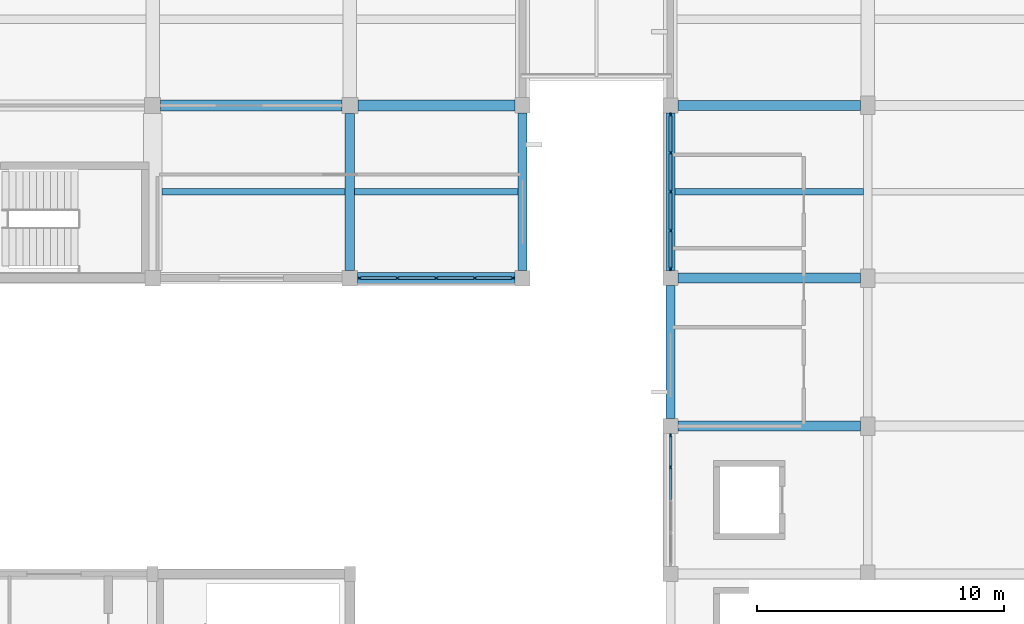
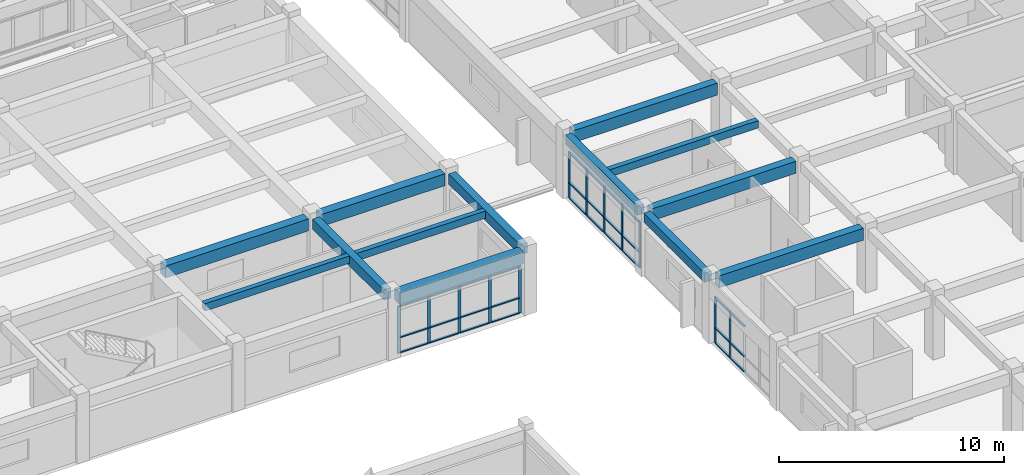
# One storey, part 9 of 33: 42 members, 13 beams, 3 elements without a shape of their own.
"""IFC4 building model written with IfcOpenShell, lengths in metres."""

from ifc_helpers import new_model, si_unit, direction, frame, origin, origin_2d, place, context, subcontext, project, spatial, rectangle, extrude, material, layer, layer_set, material_profile, profile_set, type_object, element, aggregate, save


model = new_model("IFC4")

# Units and contexts
model_context = context("Model", 3, precision=1e-05, world=origin(), true_north=direction((0.0, 1.0)))
body_context = subcontext(model_context, "Body", "Model", "MODEL_VIEW")
ifc_project = project(units=[si_unit("LENGTHUNIT", "METRE"), si_unit("AREAUNIT", "SQUARE_METRE"), si_unit("VOLUMEUNIT", "CUBIC_METRE"), si_unit("PLANEANGLEUNIT", "RADIAN"), si_unit("MASSUNIT", "GRAM", prefix="KILO")], contexts=[model_context])

# Site, building, storey
site_placement = place(None, origin())
site = spatial("IfcSite", under=ifc_project, at=site_placement, CompositionType="ELEMENT")
building_placement = place(site_placement, origin())
building = spatial("IfcBuilding", under=site, at=building_placement, Name="Naurynzar Civic Courthouse", CompositionType="ELEMENT")
storey_placement = place(building_placement, frame((0.0, 0.0, 22.050048828125)))
storey = spatial("IfcBuildingStorey", under=building, at=storey_placement, Name="L06", CompositionType="ELEMENT", Elevation=22.050048828125)

# Beams
ifc_material_1 = material(Name="Concrete C40/50", Category="concrete")
ifc_material_profile_1 = material_profile(ifc_material_1, rectangle(XDim=0.25, YDim=0.39990234375, at=origin_2d()), Name="RCB 250x400")
ifc_profile_set_1 = profile_set([ifc_material_profile_1], Name="Concrete C40/50")
beam_type_1 = type_object("IfcBeamType", Name="BM-JST-250x400", PredefinedType="JOIST", material=ifc_profile_set_1)
beam_1_placement = place(storey_placement, frame((109.375, 47.5, 3.22998046875), z_axis=(1.0, 0.0, 0.0), x_axis=(0.0, 1.0, 0.0)))
element("IfcBeam", 1, at=beam_1_placement, inside=storey, type_object=beam_type_1, Name="V2 secondary rib 897 L06", PredefinedType="JOIST", context=body_context, shape_type="SweptSolid", body=[
    extrude(rectangle(XDim=0.25, YDim=0.39990234375, at=origin_2d()), origin(), (0.0, 0.0, 1.0), 7.4375),
])
beam_2_placement = place(storey_placement, frame((117.1875, 47.5, 3.22998046875), z_axis=(1.0, 0.0, 0.0), x_axis=(0.0, 1.0, 0.0)))
element("IfcBeam", 2, at=beam_2_placement, inside=storey, type_object=beam_type_1, Name="V2 secondary rib 898 L06", PredefinedType="JOIST", context=body_context, shape_type="SweptSolid", body=[
    extrude(rectangle(XDim=0.25, YDim=0.39990234375, at=origin_2d()), origin(), (0.0, 0.0, 1.0), 6.625),
])
beam_3_placement = place(storey_placement, frame((130.175048828125, 47.5, 3.22998046875), z_axis=(1.0, 0.0, 0.0), x_axis=(0.0, 1.0, 0.0)))
element("IfcBeam", 3, at=beam_3_placement, inside=storey, type_object=beam_type_1, Name="V5 secondary rib 2804 L06", PredefinedType="JOIST", context=body_context, shape_type="SweptSolid", body=[
    extrude(rectangle(XDim=0.25, YDim=0.39990234375, at=origin_2d()), origin(), (0.0, 0.0, 1.0), 7.64990234375),
])
ifc_material_2 = material(Name="Concrete C40/50", Category="concrete")
ifc_material_profile_2 = material_profile(ifc_material_2, rectangle(XDim=0.35009765625, YDim=0.5, at=origin_2d()), Name="RCB 350x500")
ifc_profile_set_2 = profile_set([ifc_material_profile_2], Name="Concrete C40/50")
beam_type_2 = type_object("IfcBeamType", Name="BM-RC-350x500", PredefinedType="BEAM", material=ifc_profile_set_2)
beam_4_placement = place(storey_placement, frame((130.0, 38.300048828125, 3.179931640625), z_axis=(0.0, 1.0, 0.0), x_axis=(-1.0, 0.0, 0.0)))
element("IfcBeam", 4, at=beam_4_placement, inside=storey, type_object=beam_type_2, Name="V5 girder Y-2763 L06", PredefinedType="BEAM", context=body_context, shape_type="SweptSolid", body=[
    extrude(rectangle(XDim=0.35009765625, YDim=0.5, at=origin_2d()), origin(), (0.0, 0.0, 1.0), 5.39990234375),
])
beam_5_placement = place(storey_placement, frame((130.0, 44.300048828125, 3.179931640625), z_axis=(0.0, 1.0, 0.0), x_axis=(-1.0, 0.0, 0.0)))
element("IfcBeam", 5, at=beam_5_placement, inside=storey, type_object=beam_type_2, Name="V5 girder Y-2764 L06", PredefinedType="BEAM", context=body_context, shape_type="SweptSolid", body=[
    extrude(rectangle(XDim=0.35009765625, YDim=0.5, at=origin_2d()), origin(), (0.0, 0.0, 1.0), 6.39990234375),
])
ifc_material_3 = material(Name="Concrete C40/50", Category="concrete")
ifc_material_profile_3 = material_profile(ifc_material_3, rectangle(XDim=0.375, YDim=0.550048828125, at=origin_2d()), Name="RCB 375x550")
ifc_profile_set_3 = profile_set([ifc_material_profile_3], Name="Concrete C40/50")
beam_type_3 = type_object("IfcBeamType", Name="BM-RC-375x550", PredefinedType="BEAM", material=ifc_profile_set_3)
beam_6_placement = place(storey_placement, frame((117.0, 44.3125, 3.155029296875), z_axis=(0.0, 1.0, 0.0), x_axis=(-1.0, 0.0, 0.0)))
element("IfcBeam", 6, at=beam_6_placement, inside=storey, type_object=beam_type_3, Name="V2 girder Y-889 L06", PredefinedType="BEAM", context=body_context, shape_type="SweptSolid", body=[
    extrude(rectangle(XDim=0.375, YDim=0.550048828125, at=origin_2d()), origin(), (0.0, 0.0, 1.0), 6.362548828125),
])
beam_7_placement = place(storey_placement, frame((124.0, 44.3125, 3.155029296875), z_axis=(0.0, 1.0, 0.0), x_axis=(-1.0, 0.0, 0.0)))
element("IfcBeam", 7, at=beam_7_placement, inside=storey, type_object=beam_type_3, Name="V2 girder Y-892 L06", PredefinedType="BEAM", context=body_context, shape_type="SweptSolid", body=[
    extrude(rectangle(XDim=0.375, YDim=0.550048828125, at=origin_2d()), origin(), (0.0, 0.0, 1.0), 6.375),
])
ifc_material_4 = material(Name="Concrete C40/50", Category="concrete")
ifc_material_profile_4 = material_profile(ifc_material_4, rectangle(XDim=0.39990234375, YDim=0.64990234375, at=origin_2d()), Name="RCB 400x650")
ifc_profile_set_4 = profile_set([ifc_material_profile_4], Name="Concrete C40/50")
beam_type_4 = type_object("IfcBeamType", Name="BM-RC-400x650", PredefinedType="BEAM", material=ifc_profile_set_4)
for number, where, z_axis, x_axis, name in (
    (8, (130.300048828125, 38.0, 3.10498046875), (1.0, 0.0, 0.0), (0.0, 1.0, 0.0), "V5 beam X-2740 L06"),
    (9, (130.300048828125, 44.0, 3.10498046875), (1.0, 0.0, 0.0), (0.0, 1.0, 0.0), "V5 beam X-2743 L06"),
    (10, (130.300048828125, 51.0, 3.10498046875), (1.0, 0.0, 0.0), (0.0, 1.0, 0.0), "V5 beam X-2747 L06"),
):
    element("IfcBeam", number, at=place(storey_placement, frame(where, z_axis=z_axis, x_axis=x_axis)), inside=storey, type_object=beam_type_4, Name=name, PredefinedType="BEAM", context=body_context, shape_type="SweptSolid", body=[
        extrude(rectangle(XDim=0.39990234375, YDim=0.64990234375, at=origin_2d()), origin(), (0.0, 0.0, 1.0), 7.39990234375),
    ])
ifc_material_5 = material(Name="Concrete C40/50", Category="concrete")
ifc_material_profile_5 = material_profile(ifc_material_5, rectangle(XDim=0.449951171875, YDim=0.64990234375, at=origin_2d()), Name="RCB 450x650")
ifc_profile_set_5 = profile_set([ifc_material_profile_5], Name="Concrete C40/50")
beam_type_5 = type_object("IfcBeamType", Name="BM-RC-450x650", PredefinedType="BEAM", material=ifc_profile_set_5)
beam_8_placement = place(storey_placement, frame((117.3125, 44.0, 3.10498046875), z_axis=(1.0, 0.0, 0.0), x_axis=(0.0, 1.0, 0.0)))
element("IfcBeam", 11, at=beam_8_placement, inside=storey, type_object=beam_type_5, Name="V2 beam X-843 L06", PredefinedType="BEAM", context=body_context, shape_type="SweptSolid", body=[
    extrude(rectangle(XDim=0.449951171875, YDim=0.64990234375, at=origin_2d()), origin(), (0.0, 0.0, 1.0), 6.375),
])
beam_9_placement = place(storey_placement, frame((109.324951171875, 51.0, 3.10498046875), z_axis=(1.0, 0.0, 0.0), x_axis=(0.0, 1.0, 0.0)))
element("IfcBeam", 12, at=beam_9_placement, inside=storey, type_object=beam_type_5, Name="V2 beam X-850 L06", PredefinedType="BEAM", context=body_context, shape_type="SweptSolid", body=[
    extrude(rectangle(XDim=0.449951171875, YDim=0.64990234375, at=origin_2d()), origin(), (0.0, 0.0, 1.0), 7.35009765625),
])
beam_10_placement = place(storey_placement, frame((117.324951171875, 51.0, 3.10498046875), z_axis=(1.0, 0.0, 0.0), x_axis=(0.0, 1.0, 0.0)))
element("IfcBeam", 13, at=beam_10_placement, inside=storey, type_object=beam_type_5, Name="V2 beam X-851 L06", PredefinedType="BEAM", context=body_context, shape_type="SweptSolid", body=[
    extrude(rectangle(XDim=0.449951171875, YDim=0.64990234375, at=origin_2d()), origin(), (0.0, 0.0, 1.0), 6.362548828125),
])

# Curtain wall, members
ifc_material_6 = material(Name="Aluminium 6063-T6", Category="aluminium")
ifc_layer = layer(ifc_material_6, 0.179931640625)
ifc_layer_set = layer_set([ifc_layer], Name="CW-UNIT-1500")
curtain_wall_type = type_object("IfcCurtainWallType", Name="CW-UNIT-1500", PredefinedType="NOTDEFINED", material=ifc_layer_set)
curtain_wall_1_placement = place(storey_placement, origin())
curtain_wall_1 = element("IfcCurtainWall", 14, at=curtain_wall_1_placement, inside=storey, type_object=curtain_wall_type, Name="V2 unitised curtain wall 47 L06", PredefinedType="NOTDEFINED")
ifc_material_7 = material(Name="Aluminium 6063-T6", Category="aluminium")
ifc_material_profile_6 = material_profile(ifc_material_7, rectangle(XDim=0.06005859375, YDim=0.14990234375, at=origin_2d()), Name="ALU MULLION 60x150")
ifc_profile_set_6 = profile_set([ifc_material_profile_6], Name="Aluminium 6063-T6")
member_type_1 = type_object("IfcMemberType", Name="CWM-60x150", PredefinedType="MULLION", material=ifc_profile_set_6)
member_1_placement = place(storey_placement, frame((123.607421875, 44.0, 0.0), z_axis=(0.0, 0.0, 1.0), x_axis=(0.0, -1.0, 0.0)))
member_1 = element("IfcMember", 15, at=member_1_placement, type_object=member_type_1, Name="CW-01 mullion 1", PredefinedType="MULLION", context=body_context, shape_type="SweptSolid", body=[
    extrude(rectangle(XDim=0.06005859375, YDim=0.14990234375, at=origin_2d()), origin(), (0.0, 0.0, 1.0), 2.56005859375),
])
member_2_placement = place(storey_placement, frame((122.06884765625, 44.0, 0.0), z_axis=(0.0, 0.0, 1.0), x_axis=(0.0, -1.0, 0.0)))
member_2 = element("IfcMember", 16, at=member_2_placement, type_object=member_type_1, Name="CW-01 mullion 2", PredefinedType="MULLION", context=body_context, shape_type="SweptSolid", body=[
    extrude(rectangle(XDim=0.06005859375, YDim=0.14990234375, at=origin_2d()), origin(), (0.0, 0.0, 1.0), 2.56005859375),
])
member_3_placement = place(storey_placement, frame((120.5, 44.0, 0.0), z_axis=(0.0, 0.0, 1.0), x_axis=(0.0, -1.0, 0.0)))
member_3 = element("IfcMember", 17, at=member_3_placement, type_object=member_type_1, Name="CW-01 mullion 3", PredefinedType="MULLION", context=body_context, shape_type="SweptSolid", body=[
    extrude(rectangle(XDim=0.06005859375, YDim=0.14990234375, at=origin_2d()), origin(), (0.0, 0.0, 1.0), 2.56005859375),
])
member_4_placement = place(storey_placement, frame((118.93115234375, 44.0, 0.0), z_axis=(0.0, 0.0, 1.0), x_axis=(0.0, -1.0, 0.0)))
member_4 = element("IfcMember", 18, at=member_4_placement, type_object=member_type_1, Name="CW-01 mullion 4", PredefinedType="MULLION", context=body_context, shape_type="SweptSolid", body=[
    extrude(rectangle(XDim=0.06005859375, YDim=0.14990234375, at=origin_2d()), origin(), (0.0, 0.0, 1.0), 2.56005859375),
])
member_5_placement = place(storey_placement, frame((117.392578125, 44.0, 0.0), z_axis=(0.0, 0.0, 1.0), x_axis=(0.0, -1.0, 0.0)))
member_5 = element("IfcMember", 19, at=member_5_placement, type_object=member_type_1, Name="CW-01 mullion 5", PredefinedType="MULLION", context=body_context, shape_type="SweptSolid", body=[
    extrude(rectangle(XDim=0.06005859375, YDim=0.14990234375, at=origin_2d()), origin(), (0.0, 0.0, 1.0), 2.56005859375),
])

curtain_wall_2_placement = place(storey_placement, origin())
curtain_wall_2 = element("IfcCurtainWall", 20, at=curtain_wall_2_placement, inside=storey, type_object=curtain_wall_type, Name="V5 unitised curtain wall 107 L06", PredefinedType="NOTDEFINED")
member_6_placement = place(storey_placement, frame((130.0, 36.324951171875, 0.0), z_axis=(0.0, 0.0, 1.0), x_axis=(-1.0, 0.0, 0.0)))
member_6 = element("IfcMember", 21, at=member_6_placement, type_object=member_type_1, Name="CW-01 mullion 4", PredefinedType="MULLION", context=body_context, shape_type="SweptSolid", body=[
    extrude(rectangle(XDim=0.06005859375, YDim=0.14990234375, at=origin_2d()), origin(), (0.0, 0.0, 1.0), 2.510009765625),
])
member_7_placement = place(storey_placement, frame((130.0, 37.6201171875, 0.0), z_axis=(0.0, 0.0, 1.0), x_axis=(-1.0, 0.0, 0.0)))
member_7 = element("IfcMember", 22, at=member_7_placement, type_object=member_type_1, Name="CW-01 mullion 5", PredefinedType="MULLION", context=body_context, shape_type="SweptSolid", body=[
    extrude(rectangle(XDim=0.06005859375, YDim=0.14990234375, at=origin_2d()), origin(), (0.0, 0.0, 1.0), 2.510009765625),
])

curtain_wall_3_placement = place(storey_placement, origin())
curtain_wall_3 = element("IfcCurtainWall", 23, at=curtain_wall_3_placement, inside=storey, type_object=curtain_wall_type, Name="V5 unitised curtain wall 108 L06", PredefinedType="NOTDEFINED")
member_8_placement = place(storey_placement, frame((130.0, 44.3798828125, 0.0), z_axis=(0.0, 0.0, 1.0), x_axis=(-1.0, 0.0, 0.0)))
member_8 = element("IfcMember", 24, at=member_8_placement, type_object=member_type_1, Name="CW-01 mullion 1", PredefinedType="MULLION", context=body_context, shape_type="SweptSolid", body=[
    extrude(rectangle(XDim=0.06005859375, YDim=0.14990234375, at=origin_2d()), origin(), (0.0, 0.0, 1.0), 2.510009765625),
])
member_9_placement = place(storey_placement, frame((130.0, 45.925048828125, 0.0), z_axis=(0.0, 0.0, 1.0), x_axis=(-1.0, 0.0, 0.0)))
member_9 = element("IfcMember", 25, at=member_9_placement, type_object=member_type_1, Name="CW-01 mullion 2", PredefinedType="MULLION", context=body_context, shape_type="SweptSolid", body=[
    extrude(rectangle(XDim=0.06005859375, YDim=0.14990234375, at=origin_2d()), origin(), (0.0, 0.0, 1.0), 2.510009765625),
])
member_10_placement = place(storey_placement, frame((130.0, 47.5, 0.0), z_axis=(0.0, 0.0, 1.0), x_axis=(-1.0, 0.0, 0.0)))
member_10 = element("IfcMember", 26, at=member_10_placement, type_object=member_type_1, Name="CW-01 mullion 3", PredefinedType="MULLION", context=body_context, shape_type="SweptSolid", body=[
    extrude(rectangle(XDim=0.06005859375, YDim=0.14990234375, at=origin_2d()), origin(), (0.0, 0.0, 1.0), 2.510009765625),
])
member_11_placement = place(storey_placement, frame((130.0, 49.074951171875, 0.0), z_axis=(0.0, 0.0, 1.0), x_axis=(-1.0, 0.0, 0.0)))
member_11 = element("IfcMember", 27, at=member_11_placement, type_object=member_type_1, Name="CW-01 mullion 4", PredefinedType="MULLION", context=body_context, shape_type="SweptSolid", body=[
    extrude(rectangle(XDim=0.06005859375, YDim=0.14990234375, at=origin_2d()), origin(), (0.0, 0.0, 1.0), 2.510009765625),
])
member_12_placement = place(storey_placement, frame((130.0, 50.6201171875, 0.0), z_axis=(0.0, 0.0, 1.0), x_axis=(-1.0, 0.0, 0.0)))
member_12 = element("IfcMember", 28, at=member_12_placement, type_object=member_type_1, Name="CW-01 mullion 5", PredefinedType="MULLION", context=body_context, shape_type="SweptSolid", body=[
    extrude(rectangle(XDim=0.06005859375, YDim=0.14990234375, at=origin_2d()), origin(), (0.0, 0.0, 1.0), 2.510009765625),
])

# Member
ifc_material_8 = material(Name="Aluminium 6063-T6", Category="aluminium")
ifc_material_profile_7 = material_profile(ifc_material_8, rectangle(XDim=0.110107421875, YDim=0.06005859375, at=origin_2d()), Name="ALU TRANSOM 60x110")
ifc_profile_set_7 = profile_set([ifc_material_profile_7], Name="Aluminium 6063-T6")
member_type_2 = type_object("IfcMemberType", Name="CWT-60x110", PredefinedType="USERDEFINED", material=ifc_profile_set_7)
member_13_placement = place(storey_placement, frame((123.577392578125, 44.0, 0.030029296875), z_axis=(-1.0, 0.0, 0.0), x_axis=(0.0, -1.0, 0.0)))
member_13 = element("IfcMember", 29, at=member_13_placement, type_object=member_type_2, Name="CW-01 transom 1.1", ObjectType="TRANSOM", PredefinedType="USERDEFINED", context=body_context, shape_type="SweptSolid", body=[
    extrude(rectangle(XDim=0.110107421875, YDim=0.06005859375, at=origin_2d()), origin(), (0.0, 0.0, 1.0), 1.478759765625),
])

member_14_placement = place(storey_placement, frame((123.577392578125, 44.0, 0.849853515625), z_axis=(-1.0, 0.0, 0.0), x_axis=(0.0, -1.0, 0.0)))
member_14 = element("IfcMember", 30, at=member_14_placement, type_object=member_type_2, Name="CW-01 transom 1.2", ObjectType="TRANSOM", PredefinedType="USERDEFINED", context=body_context, shape_type="SweptSolid", body=[
    extrude(rectangle(XDim=0.110107421875, YDim=0.06005859375, at=origin_2d()), origin(), (0.0, 0.0, 1.0), 1.478759765625),
])

member_15_placement = place(storey_placement, frame((123.577392578125, 44.0, 2.530029296875), z_axis=(-1.0, 0.0, 0.0), x_axis=(0.0, -1.0, 0.0)))
member_15 = element("IfcMember", 31, at=member_15_placement, type_object=member_type_2, Name="CW-01 transom 1.3", ObjectType="TRANSOM", PredefinedType="USERDEFINED", context=body_context, shape_type="SweptSolid", body=[
    extrude(rectangle(XDim=0.110107421875, YDim=0.06005859375, at=origin_2d()), origin(), (0.0, 0.0, 1.0), 1.478759765625),
])

member_16_placement = place(storey_placement, frame((122.038818359375, 44.0, 0.030029296875), z_axis=(-1.0, 0.0, 0.0), x_axis=(0.0, -1.0, 0.0)))
member_16 = element("IfcMember", 32, at=member_16_placement, type_object=member_type_2, Name="CW-01 transom 2.1", ObjectType="TRANSOM", PredefinedType="USERDEFINED", context=body_context, shape_type="SweptSolid", body=[
    extrude(rectangle(XDim=0.110107421875, YDim=0.06005859375, at=origin_2d()), origin(), (0.0, 0.0, 1.0), 1.5087890625),
])

member_17_placement = place(storey_placement, frame((122.038818359375, 44.0, 0.849853515625), z_axis=(-1.0, 0.0, 0.0), x_axis=(0.0, -1.0, 0.0)))
member_17 = element("IfcMember", 33, at=member_17_placement, type_object=member_type_2, Name="CW-01 transom 2.2", ObjectType="TRANSOM", PredefinedType="USERDEFINED", context=body_context, shape_type="SweptSolid", body=[
    extrude(rectangle(XDim=0.110107421875, YDim=0.06005859375, at=origin_2d()), origin(), (0.0, 0.0, 1.0), 1.5087890625),
])

member_18_placement = place(storey_placement, frame((122.038818359375, 44.0, 2.530029296875), z_axis=(-1.0, 0.0, 0.0), x_axis=(0.0, -1.0, 0.0)))
member_18 = element("IfcMember", 34, at=member_18_placement, type_object=member_type_2, Name="CW-01 transom 2.3", ObjectType="TRANSOM", PredefinedType="USERDEFINED", context=body_context, shape_type="SweptSolid", body=[
    extrude(rectangle(XDim=0.110107421875, YDim=0.06005859375, at=origin_2d()), origin(), (0.0, 0.0, 1.0), 1.5087890625),
])

member_19_placement = place(storey_placement, frame((120.469970703125, 44.0, 0.030029296875), z_axis=(-1.0, 0.0, 0.0), x_axis=(0.0, -1.0, 0.0)))
member_19 = element("IfcMember", 35, at=member_19_placement, type_object=member_type_2, Name="CW-01 transom 3.1", ObjectType="TRANSOM", PredefinedType="USERDEFINED", context=body_context, shape_type="SweptSolid", body=[
    extrude(rectangle(XDim=0.110107421875, YDim=0.06005859375, at=origin_2d()), origin(), (0.0, 0.0, 1.0), 1.5087890625),
])

member_20_placement = place(storey_placement, frame((120.469970703125, 44.0, 0.849853515625), z_axis=(-1.0, 0.0, 0.0), x_axis=(0.0, -1.0, 0.0)))
member_20 = element("IfcMember", 36, at=member_20_placement, type_object=member_type_2, Name="CW-01 transom 3.2", ObjectType="TRANSOM", PredefinedType="USERDEFINED", context=body_context, shape_type="SweptSolid", body=[
    extrude(rectangle(XDim=0.110107421875, YDim=0.06005859375, at=origin_2d()), origin(), (0.0, 0.0, 1.0), 1.5087890625),
])

member_21_placement = place(storey_placement, frame((120.469970703125, 44.0, 2.530029296875), z_axis=(-1.0, 0.0, 0.0), x_axis=(0.0, -1.0, 0.0)))
member_21 = element("IfcMember", 37, at=member_21_placement, type_object=member_type_2, Name="CW-01 transom 3.3", ObjectType="TRANSOM", PredefinedType="USERDEFINED", context=body_context, shape_type="SweptSolid", body=[
    extrude(rectangle(XDim=0.110107421875, YDim=0.06005859375, at=origin_2d()), origin(), (0.0, 0.0, 1.0), 1.5087890625),
])

member_22_placement = place(storey_placement, frame((118.9013671875, 44.0, 0.030029296875), z_axis=(-1.0, 0.0, 0.0), x_axis=(0.0, -1.0, 0.0)))
member_22 = element("IfcMember", 38, at=member_22_placement, type_object=member_type_2, Name="CW-01 transom 4.1", ObjectType="TRANSOM", PredefinedType="USERDEFINED", context=body_context, shape_type="SweptSolid", body=[
    extrude(rectangle(XDim=0.110107421875, YDim=0.06005859375, at=origin_2d()), origin(), (0.0, 0.0, 1.0), 1.478759765625),
])

member_23_placement = place(storey_placement, frame((118.9013671875, 44.0, 0.849853515625), z_axis=(-1.0, 0.0, 0.0), x_axis=(0.0, -1.0, 0.0)))
member_23 = element("IfcMember", 39, at=member_23_placement, type_object=member_type_2, Name="CW-01 transom 4.2", ObjectType="TRANSOM", PredefinedType="USERDEFINED", context=body_context, shape_type="SweptSolid", body=[
    extrude(rectangle(XDim=0.110107421875, YDim=0.06005859375, at=origin_2d()), origin(), (0.0, 0.0, 1.0), 1.478759765625),
])

member_24_placement = place(storey_placement, frame((118.9013671875, 44.0, 2.530029296875), z_axis=(-1.0, 0.0, 0.0), x_axis=(0.0, -1.0, 0.0)))
member_24 = element("IfcMember", 40, at=member_24_placement, type_object=member_type_2, Name="CW-01 transom 4.3", ObjectType="TRANSOM", PredefinedType="USERDEFINED", context=body_context, shape_type="SweptSolid", body=[
    extrude(rectangle(XDim=0.110107421875, YDim=0.06005859375, at=origin_2d()), origin(), (0.0, 0.0, 1.0), 1.478759765625),
])

aggregate(curtain_wall_1, [member_1, member_2, member_3, member_4, member_5, member_13, member_14, member_15, member_16, member_17, member_18, member_19, member_20, member_21, member_22, member_23, member_24])

member_25_placement = place(storey_placement, frame((130.0, 35.030029296875, 0.030029296875), z_axis=(0.0, 1.0, 0.0), x_axis=(-1.0, 0.0, 0.0)))
member_25 = element("IfcMember", 41, at=member_25_placement, type_object=member_type_2, Name="CW-01 transom 3.1", ObjectType="TRANSOM", PredefinedType="USERDEFINED", context=body_context, shape_type="SweptSolid", body=[
    extrude(rectangle(XDim=0.110107421875, YDim=0.06005859375, at=origin_2d()), origin(), (0.0, 0.0, 1.0), 1.264892578125),
])

member_26_placement = place(storey_placement, frame((130.0, 35.030029296875, 0.849853515625), z_axis=(0.0, 1.0, 0.0), x_axis=(-1.0, 0.0, 0.0)))
member_26 = element("IfcMember", 42, at=member_26_placement, type_object=member_type_2, Name="CW-01 transom 3.2", ObjectType="TRANSOM", PredefinedType="USERDEFINED", context=body_context, shape_type="SweptSolid", body=[
    extrude(rectangle(XDim=0.110107421875, YDim=0.06005859375, at=origin_2d()), origin(), (0.0, 0.0, 1.0), 1.264892578125),
])

member_27_placement = place(storey_placement, frame((130.0, 35.030029296875, 2.47998046875), z_axis=(0.0, 1.0, 0.0), x_axis=(-1.0, 0.0, 0.0)))
member_27 = element("IfcMember", 43, at=member_27_placement, type_object=member_type_2, Name="CW-01 transom 3.3", ObjectType="TRANSOM", PredefinedType="USERDEFINED", context=body_context, shape_type="SweptSolid", body=[
    extrude(rectangle(XDim=0.110107421875, YDim=0.06005859375, at=origin_2d()), origin(), (0.0, 0.0, 1.0), 1.264892578125),
])

member_28_placement = place(storey_placement, frame((130.0, 36.35498046875, 0.030029296875), z_axis=(0.0, 1.0, 0.0), x_axis=(-1.0, 0.0, 0.0)))
member_28 = element("IfcMember", 44, at=member_28_placement, type_object=member_type_2, Name="CW-01 transom 4.1", ObjectType="TRANSOM", PredefinedType="USERDEFINED", context=body_context, shape_type="SweptSolid", body=[
    extrude(rectangle(XDim=0.110107421875, YDim=0.06005859375, at=origin_2d()), origin(), (0.0, 0.0, 1.0), 1.235107421875),
])

member_29_placement = place(storey_placement, frame((130.0, 36.35498046875, 0.849853515625), z_axis=(0.0, 1.0, 0.0), x_axis=(-1.0, 0.0, 0.0)))
member_29 = element("IfcMember", 45, at=member_29_placement, type_object=member_type_2, Name="CW-01 transom 4.2", ObjectType="TRANSOM", PredefinedType="USERDEFINED", context=body_context, shape_type="SweptSolid", body=[
    extrude(rectangle(XDim=0.110107421875, YDim=0.06005859375, at=origin_2d()), origin(), (0.0, 0.0, 1.0), 1.235107421875),
])

member_30_placement = place(storey_placement, frame((130.0, 36.35498046875, 2.47998046875), z_axis=(0.0, 1.0, 0.0), x_axis=(-1.0, 0.0, 0.0)))
member_30 = element("IfcMember", 46, at=member_30_placement, type_object=member_type_2, Name="CW-01 transom 4.3", ObjectType="TRANSOM", PredefinedType="USERDEFINED", context=body_context, shape_type="SweptSolid", body=[
    extrude(rectangle(XDim=0.110107421875, YDim=0.06005859375, at=origin_2d()), origin(), (0.0, 0.0, 1.0), 1.235107421875),
])

aggregate(curtain_wall_2, [member_6, member_7, member_25, member_26, member_27, member_28, member_29, member_30])

member_31_placement = place(storey_placement, frame((130.0, 44.409912109375, 0.030029296875), z_axis=(0.0, 1.0, 0.0), x_axis=(-1.0, 0.0, 0.0)))
member_31 = element("IfcMember", 47, at=member_31_placement, type_object=member_type_2, Name="CW-01 transom 1.1", ObjectType="TRANSOM", PredefinedType="USERDEFINED", context=body_context, shape_type="SweptSolid", body=[
    extrude(rectangle(XDim=0.110107421875, YDim=0.06005859375, at=origin_2d()), origin(), (0.0, 0.0, 1.0), 1.485107421875),
])

member_32_placement = place(storey_placement, frame((130.0, 44.409912109375, 0.849853515625), z_axis=(0.0, 1.0, 0.0), x_axis=(-1.0, 0.0, 0.0)))
member_32 = element("IfcMember", 48, at=member_32_placement, type_object=member_type_2, Name="CW-01 transom 1.2", ObjectType="TRANSOM", PredefinedType="USERDEFINED", context=body_context, shape_type="SweptSolid", body=[
    extrude(rectangle(XDim=0.110107421875, YDim=0.06005859375, at=origin_2d()), origin(), (0.0, 0.0, 1.0), 1.485107421875),
])

member_33_placement = place(storey_placement, frame((130.0, 44.409912109375, 2.47998046875), z_axis=(0.0, 1.0, 0.0), x_axis=(-1.0, 0.0, 0.0)))
member_33 = element("IfcMember", 49, at=member_33_placement, type_object=member_type_2, Name="CW-01 transom 1.3", ObjectType="TRANSOM", PredefinedType="USERDEFINED", context=body_context, shape_type="SweptSolid", body=[
    extrude(rectangle(XDim=0.110107421875, YDim=0.06005859375, at=origin_2d()), origin(), (0.0, 0.0, 1.0), 1.485107421875),
])

member_34_placement = place(storey_placement, frame((130.0, 45.955078125, 0.030029296875), z_axis=(0.0, 1.0, 0.0), x_axis=(-1.0, 0.0, 0.0)))
member_34 = element("IfcMember", 50, at=member_34_placement, type_object=member_type_2, Name="CW-01 transom 2.1", ObjectType="TRANSOM", PredefinedType="USERDEFINED", context=body_context, shape_type="SweptSolid", body=[
    extrude(rectangle(XDim=0.110107421875, YDim=0.06005859375, at=origin_2d()), origin(), (0.0, 0.0, 1.0), 1.514892578125),
])

member_35_placement = place(storey_placement, frame((130.0, 45.955078125, 0.849853515625), z_axis=(0.0, 1.0, 0.0), x_axis=(-1.0, 0.0, 0.0)))
member_35 = element("IfcMember", 51, at=member_35_placement, type_object=member_type_2, Name="CW-01 transom 2.2", ObjectType="TRANSOM", PredefinedType="USERDEFINED", context=body_context, shape_type="SweptSolid", body=[
    extrude(rectangle(XDim=0.110107421875, YDim=0.06005859375, at=origin_2d()), origin(), (0.0, 0.0, 1.0), 1.514892578125),
])

member_36_placement = place(storey_placement, frame((130.0, 45.955078125, 2.47998046875), z_axis=(0.0, 1.0, 0.0), x_axis=(-1.0, 0.0, 0.0)))
member_36 = element("IfcMember", 52, at=member_36_placement, type_object=member_type_2, Name="CW-01 transom 2.3", ObjectType="TRANSOM", PredefinedType="USERDEFINED", context=body_context, shape_type="SweptSolid", body=[
    extrude(rectangle(XDim=0.110107421875, YDim=0.06005859375, at=origin_2d()), origin(), (0.0, 0.0, 1.0), 1.514892578125),
])

member_37_placement = place(storey_placement, frame((130.0, 47.530029296875, 0.030029296875), z_axis=(0.0, 1.0, 0.0), x_axis=(-1.0, 0.0, 0.0)))
member_37 = element("IfcMember", 53, at=member_37_placement, type_object=member_type_2, Name="CW-01 transom 3.1", ObjectType="TRANSOM", PredefinedType="USERDEFINED", context=body_context, shape_type="SweptSolid", body=[
    extrude(rectangle(XDim=0.110107421875, YDim=0.06005859375, at=origin_2d()), origin(), (0.0, 0.0, 1.0), 1.514892578125),
])

member_38_placement = place(storey_placement, frame((130.0, 47.530029296875, 0.849853515625), z_axis=(0.0, 1.0, 0.0), x_axis=(-1.0, 0.0, 0.0)))
member_38 = element("IfcMember", 54, at=member_38_placement, type_object=member_type_2, Name="CW-01 transom 3.2", ObjectType="TRANSOM", PredefinedType="USERDEFINED", context=body_context, shape_type="SweptSolid", body=[
    extrude(rectangle(XDim=0.110107421875, YDim=0.06005859375, at=origin_2d()), origin(), (0.0, 0.0, 1.0), 1.514892578125),
])

member_39_placement = place(storey_placement, frame((130.0, 47.530029296875, 2.47998046875), z_axis=(0.0, 1.0, 0.0), x_axis=(-1.0, 0.0, 0.0)))
member_39 = element("IfcMember", 55, at=member_39_placement, type_object=member_type_2, Name="CW-01 transom 3.3", ObjectType="TRANSOM", PredefinedType="USERDEFINED", context=body_context, shape_type="SweptSolid", body=[
    extrude(rectangle(XDim=0.110107421875, YDim=0.06005859375, at=origin_2d()), origin(), (0.0, 0.0, 1.0), 1.514892578125),
])

member_40_placement = place(storey_placement, frame((130.0, 49.10498046875, 0.030029296875), z_axis=(0.0, 1.0, 0.0), x_axis=(-1.0, 0.0, 0.0)))
member_40 = element("IfcMember", 56, at=member_40_placement, type_object=member_type_2, Name="CW-01 transom 4.1", ObjectType="TRANSOM", PredefinedType="USERDEFINED", context=body_context, shape_type="SweptSolid", body=[
    extrude(rectangle(XDim=0.110107421875, YDim=0.06005859375, at=origin_2d()), origin(), (0.0, 0.0, 1.0), 1.485107421875),
])

member_41_placement = place(storey_placement, frame((130.0, 49.10498046875, 0.849853515625), z_axis=(0.0, 1.0, 0.0), x_axis=(-1.0, 0.0, 0.0)))
member_41 = element("IfcMember", 57, at=member_41_placement, type_object=member_type_2, Name="CW-01 transom 4.2", ObjectType="TRANSOM", PredefinedType="USERDEFINED", context=body_context, shape_type="SweptSolid", body=[
    extrude(rectangle(XDim=0.110107421875, YDim=0.06005859375, at=origin_2d()), origin(), (0.0, 0.0, 1.0), 1.485107421875),
])

member_42_placement = place(storey_placement, frame((130.0, 49.10498046875, 2.47998046875), z_axis=(0.0, 1.0, 0.0), x_axis=(-1.0, 0.0, 0.0)))
member_42 = element("IfcMember", 58, at=member_42_placement, type_object=member_type_2, Name="CW-01 transom 4.3", ObjectType="TRANSOM", PredefinedType="USERDEFINED", context=body_context, shape_type="SweptSolid", body=[
    extrude(rectangle(XDim=0.110107421875, YDim=0.06005859375, at=origin_2d()), origin(), (0.0, 0.0, 1.0), 1.485107421875),
])

aggregate(curtain_wall_3, [member_8, member_9, member_10, member_11, member_12, member_31, member_32, member_33, member_34, member_35, member_36, member_37, member_38, member_39, member_40, member_41, member_42])

save(model, "model.ifc")
